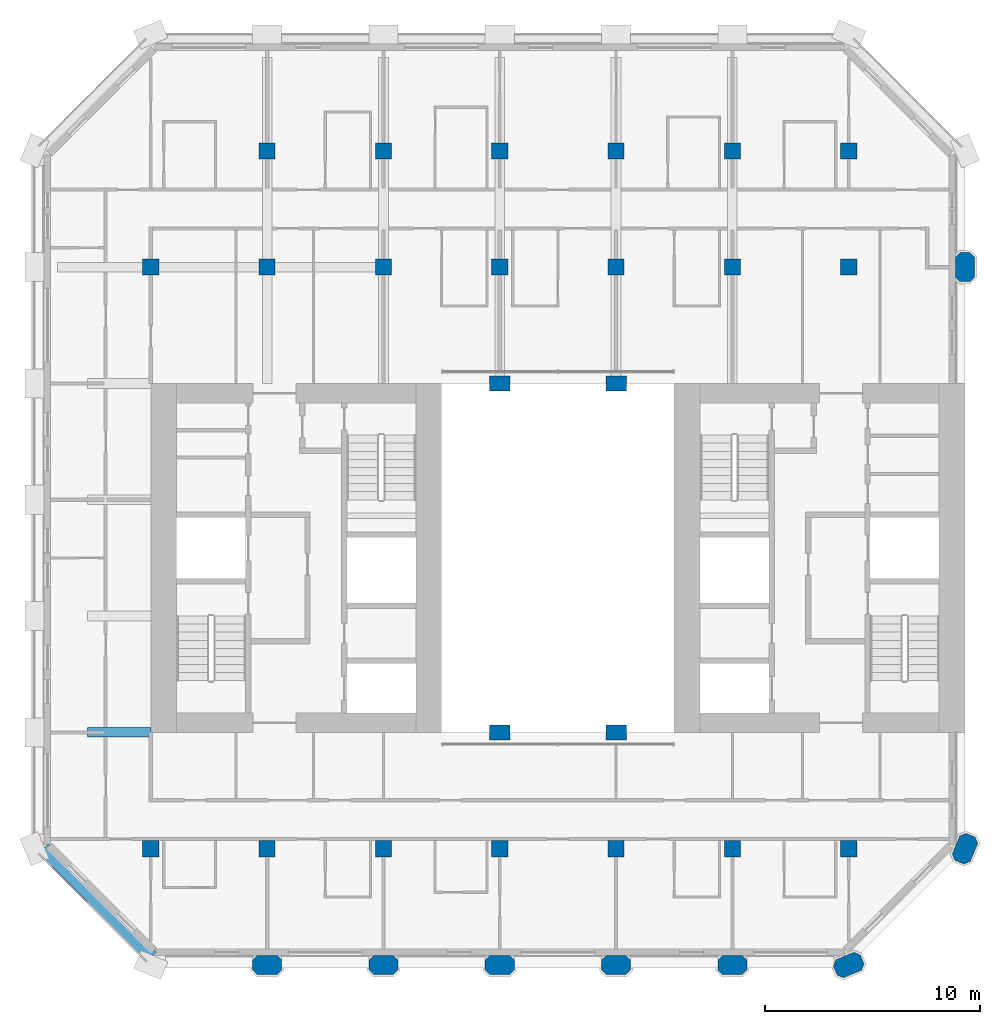
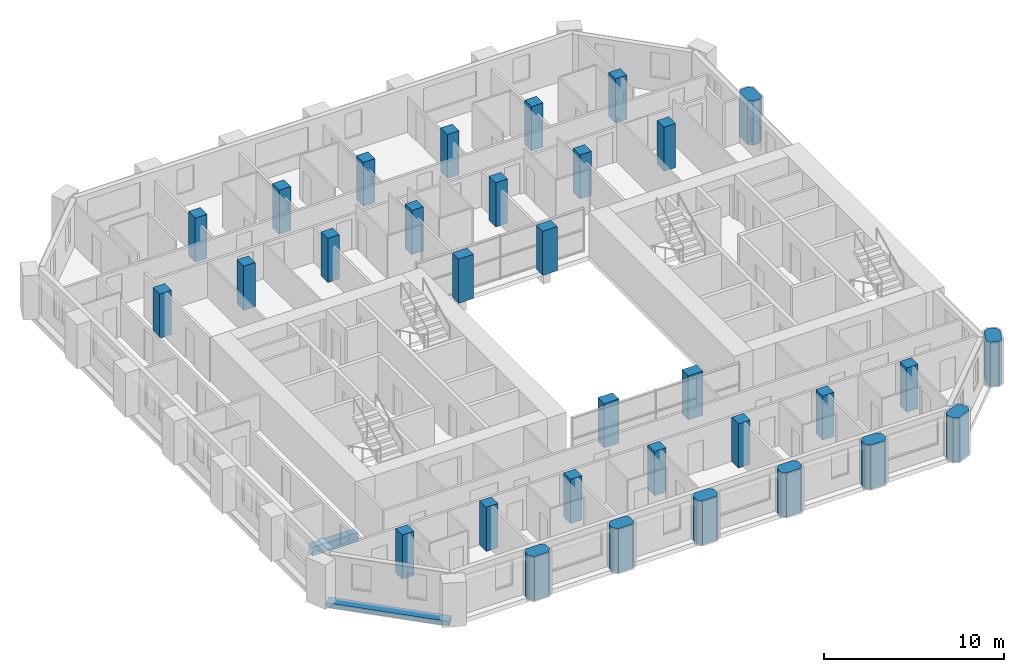
# One storey, part 1 of 14: 32 columns, 2 beams.
"""IFC4 building model written with IfcOpenShell, lengths in metres."""

from ifc_helpers import new_model, si_unit, direction, frame, origin, origin_2d, place, context, subcontext, project, spatial, polyline, rectangle, outline, extrude, material, material_profile, profile_set, type_object, element, save


model = new_model("IFC4")

# Units and contexts
model_context = context("Model", 3, precision=1e-05, world=origin(), true_north=direction((0.0, 1.0)))
body_context = subcontext(model_context, "Body", "Model", "MODEL_VIEW")
ifc_project = project(units=[si_unit("LENGTHUNIT", "METRE"), si_unit("AREAUNIT", "SQUARE_METRE"), si_unit("VOLUMEUNIT", "CUBIC_METRE"), si_unit("PLANEANGLEUNIT", "RADIAN"), si_unit("MASSUNIT", "GRAM", prefix="KILO")], contexts=[model_context])

# Site, building, storey
site_placement = place(None, origin())
site = spatial("IfcSite", under=ifc_project, at=site_placement, CompositionType="ELEMENT")
building_placement = place(site_placement, origin())
building = spatial("IfcBuilding", under=site, at=building_placement, Name="Tabaq Tower and Sports Hall", CompositionType="ELEMENT")
storey_placement = place(building_placement, frame((0.0, 0.0, 223.60009765625)))
storey = spatial("IfcBuildingStorey", under=building, at=storey_placement, Name="L56", CompositionType="ELEMENT", Elevation=223.60009765625)

# Columns
ifc_material_1 = material(Name="Concrete C50/60", Category="concrete")
ifc_material_profile_1 = material_profile(ifc_material_1, rectangle(XDim=0.949951171875, YDim=0.699951171875, at=origin_2d()), Name="ATRIUM COLUMN 950x700")
ifc_profile_set_1 = profile_set([ifc_material_profile_1], Name="Concrete C50/60")
column_type_1 = type_object("IfcColumnType", Name="RC COLUMN ATRIUM COLUMN 950x700 C50/60", PredefinedType="COLUMN", material=ifc_profile_set_1)
for number, where, z_axis, x_axis, name in (
    (1, (21.60009765625, 16.199951171875, 0.0), (0.0, 0.0, 1.0), (1.0, 0.0, 0.0), "Atrium Column 5/D L56"),
    (2, (27.0, 16.199951171875, 0.0), (0.0, 0.0, 1.0), (1.0, 0.0, 0.0), "Atrium Column 6/D L56"),
    (3, (21.60009765625, 32.39990234375, 0.0), (0.0, 0.0, 1.0), (1.0, 0.0, 0.0), "Atrium Column 5/G L56"),
    (4, (27.0, 32.39990234375, 0.0), (0.0, 0.0, 1.0), (1.0, 0.0, 0.0), "Atrium Column 6/G L56"),
):
    element("IfcColumn", number, at=place(storey_placement, frame(where, z_axis=z_axis, x_axis=x_axis)), inside=storey, type_object=column_type_1, Name=name, PredefinedType="COLUMN", context=body_context, shape_type="SweptSolid", body=[
        extrude(rectangle(XDim=0.949951171875, YDim=0.699951171875, at=origin_2d()), origin(), (0.0, 0.0, 1.0), 3.0),
    ])
ifc_material_2 = material(Name="Concrete C50/60", Category="concrete")
ifc_material_profile_2 = material_profile(ifc_material_2, rectangle(XDim=0.75, YDim=0.75, at=origin_2d()), Name="COLUMN 750x750")
ifc_profile_set_2 = profile_set([ifc_material_profile_2], Name="Concrete C50/60")
column_type_2 = type_object("IfcColumnType", Name="RC COLUMN COLUMN 750x750 C50/60", PredefinedType="COLUMN", material=ifc_profile_set_2)
for number, where, z_axis, x_axis, name in (
    (5, (5.39990234375, 10.800048828125, 0.0), (0.0, 0.0, 1.0), (1.0, 0.0, 0.0), "Column 2/C L56"),
    (6, (10.800048828125, 10.800048828125, 0.0), (0.0, 0.0, 1.0), (1.0, 0.0, 0.0), "Column 3/C L56"),
    (7, (16.199951171875, 10.800048828125, 0.0), (0.0, 0.0, 1.0), (1.0, 0.0, 0.0), "Column 4/C L56"),
    (8, (21.60009765625, 10.800048828125, 0.0), (0.0, 0.0, 1.0), (1.0, 0.0, 0.0), "Column 5/C L56"),
    (9, (27.0, 10.800048828125, 0.0), (0.0, 0.0, 1.0), (1.0, 0.0, 0.0), "Column 6/C L56"),
    (10, (32.39990234375, 10.800048828125, 0.0), (0.0, 0.0, 1.0), (1.0, 0.0, 0.0), "Column 7/C L56"),
    (11, (37.800048828125, 10.800048828125, 0.0), (0.0, 0.0, 1.0), (1.0, 0.0, 0.0), "Column 8/C L56"),
    (12, (5.39990234375, 37.800048828125, 0.0), (0.0, 0.0, 1.0), (1.0, 0.0, 0.0), "Column 2/H L56"),
    (13, (10.800048828125, 37.800048828125, 0.0), (0.0, 0.0, 1.0), (1.0, 0.0, 0.0), "Column 3/H L56"),
    (14, (16.199951171875, 37.800048828125, 0.0), (0.0, 0.0, 1.0), (1.0, 0.0, 0.0), "Column 4/H L56"),
    (15, (21.60009765625, 37.800048828125, 0.0), (0.0, 0.0, 1.0), (1.0, 0.0, 0.0), "Column 5/H L56"),
    (16, (27.0, 37.800048828125, 0.0), (0.0, 0.0, 1.0), (1.0, 0.0, 0.0), "Column 6/H L56"),
    (17, (32.39990234375, 37.800048828125, 0.0), (0.0, 0.0, 1.0), (1.0, 0.0, 0.0), "Column 7/H L56"),
    (18, (37.800048828125, 37.800048828125, 0.0), (0.0, 0.0, 1.0), (1.0, 0.0, 0.0), "Column 8/H L56"),
    (19, (10.800048828125, 43.199951171875, 0.0), (0.0, 0.0, 1.0), (1.0, 0.0, 0.0), "Column 3/I L56"),
    (20, (16.199951171875, 43.199951171875, 0.0), (0.0, 0.0, 1.0), (1.0, 0.0, 0.0), "Column 4/I L56"),
    (21, (21.60009765625, 43.199951171875, 0.0), (0.0, 0.0, 1.0), (1.0, 0.0, 0.0), "Column 5/I L56"),
    (22, (27.0, 43.199951171875, 0.0), (0.0, 0.0, 1.0), (1.0, 0.0, 0.0), "Column 6/I L56"),
    (23, (32.39990234375, 43.199951171875, 0.0), (0.0, 0.0, 1.0), (1.0, 0.0, 0.0), "Column 7/I L56"),
    (24, (37.800048828125, 43.199951171875, 0.0), (0.0, 0.0, 1.0), (1.0, 0.0, 0.0), "Column 8/I L56"),
):
    element("IfcColumn", number, at=place(storey_placement, frame(where, z_axis=z_axis, x_axis=x_axis)), inside=storey, type_object=column_type_2, Name=name, PredefinedType="COLUMN", context=body_context, shape_type="SweptSolid", body=[
        extrude(rectangle(XDim=0.75, YDim=0.75, at=origin_2d()), origin(), (0.0, 0.0, 1.0), 3.0),
    ])
ifc_material_3 = material(Name="Concrete C50/60", Category="concrete")
ifc_material_profile_3 = material_profile(ifc_material_3, outline(polyline([(-0.449951171875, -0.449951171875), (0.449951171875, -0.449951171875), (0.675048828125, -0.22509765625), (0.675048828125, 0.22509765625), (0.449951171875, 0.449951171875), (-0.449951171875, 0.449951171875), (-0.675048828125, 0.22509765625), (-0.675048828125, -0.22509765625), (-0.449951171875, -0.449951171875)])), Name="PIER 1350x900")
ifc_profile_set_3 = profile_set([ifc_material_profile_3], Name="Concrete C50/60")
column_type_3 = type_object("IfcColumnType", Name="RC COLUMN PIER 1350x900 C50/60", PredefinedType="COLUMN", material=ifc_profile_set_3)
for number, where, z_axis, x_axis, name in (
    (25, (10.800048828125, 5.39990234375, 0.0), (0.0, 0.0, 1.0), (1.0, 0.0, 0.0), "Pier 3/B L56"),
    (26, (16.199951171875, 5.39990234375, 0.0), (0.0, 0.0, 1.0), (1.0, 0.0, 0.0), "Pier 4/B L56"),
    (27, (21.60009765625, 5.39990234375, 0.0), (0.0, 0.0, 1.0), (1.0, 0.0, 0.0), "Pier 5/B L56"),
    (28, (27.0, 5.39990234375, 0.0), (0.0, 0.0, 1.0), (1.0, 0.0, 0.0), "Pier 6/B L56"),
    (29, (32.39990234375, 5.39990234375, 0.0), (0.0, 0.0, 1.0), (1.0, 0.0, 0.0), "Pier 7/B L56"),
    (30, (37.800048828125, 5.39990234375, 0.0), (0.0, 0.0, 1.0), (0.923879532511, 0.382683432365, 0.0), "Pier 8/B L56"),
    (31, (43.199951171875, 10.800048828125, 0.0), (0.0, 0.0, 1.0), (0.382683432365, 0.923879532511, 0.0), "Pier 9/C L56"),
    (32, (43.199951171875, 37.800048828125, 0.0), (0.0, 0.0, 1.0), (0.0, 1.0, 0.0), "Pier 9/H L56"),
):
    element("IfcColumn", number, at=place(storey_placement, frame(where, z_axis=z_axis, x_axis=x_axis)), inside=storey, type_object=column_type_3, Name=name, PredefinedType="COLUMN", context=body_context, shape_type="SweptSolid", body=[
        extrude(outline(polyline([(-0.449951171875, -0.449951171875), (0.449951171875, -0.449951171875), (0.675048828125, -0.22509765625), (0.675048828125, 0.22509765625), (0.449951171875, 0.449951171875), (-0.449951171875, 0.449951171875), (-0.675048828125, 0.22509765625), (-0.675048828125, -0.22509765625), (-0.449951171875, -0.449951171875)])), origin(), (0.0, 0.0, 1.0), 3.0),
    ])

# Beams
ifc_material_4 = material(Name="Concrete C40/50", Category="concrete")
ifc_material_profile_4 = material_profile(ifc_material_4, rectangle(XDim=0.449951171875, YDim=0.60009765625, at=origin_2d()), Name="CB 450x600")
ifc_profile_set_4 = profile_set([ifc_material_profile_4], Name="Concrete C40/50")
beam_type_1 = type_object("IfcBeamType", Name="PT CANTILEVER BEAM CB 450x600 C40/50", PredefinedType="BEAM", material=ifc_profile_set_4)
beam_1_placement = place(storey_placement, frame((2.449951171875, 16.199951171875, -0.60009765625), z_axis=(1.0, 0.0, 0.0), x_axis=(0.0, 1.0, 0.0)))
element("IfcBeam", 33, at=beam_1_placement, inside=storey, type_object=beam_type_1, Name="Cantilever Beam L56 W3 span 1", PredefinedType="BEAM", context=body_context, shape_type="SweptSolid", body=[
    extrude(rectangle(XDim=0.449951171875, YDim=0.60009765625, at=origin_2d()), origin(), (0.0, 0.0, 1.0), 2.949951171875),
])
ifc_material_5 = material(Name="Concrete C40/50", Category="concrete")
ifc_material_profile_5 = material_profile(ifc_material_5, rectangle(XDim=0.60009765625, YDim=0.300048828125, at=origin_2d()), Name="EB 600x300")
ifc_profile_set_5 = profile_set([ifc_material_profile_5], Name="Concrete C40/50")
beam_type_2 = type_object("IfcBeamType", Name="PT EDGE BEAM EB 600x300 C40/50", PredefinedType="SPANDREL", material=ifc_profile_set_5)
beam_2_placement = place(storey_placement, frame((0.42333984375, 10.801025390625, -0.150146484375), z_axis=(0.707089559252, -0.707124002701, 0.0), x_axis=(0.707124002701, 0.707089559252, 0.0)))
element("IfcBeam", 34, at=beam_2_placement, inside=storey, type_object=beam_type_2, Name="Edge Beam L56 5", PredefinedType="SPANDREL", context=body_context, shape_type="SweptSolid", body=[
    extrude(rectangle(XDim=0.60009765625, YDim=0.300048828125, at=origin_2d()), origin(), (0.0, 0.0, 1.0), 7.088134765625),
])

save(model, "model.ifc")
